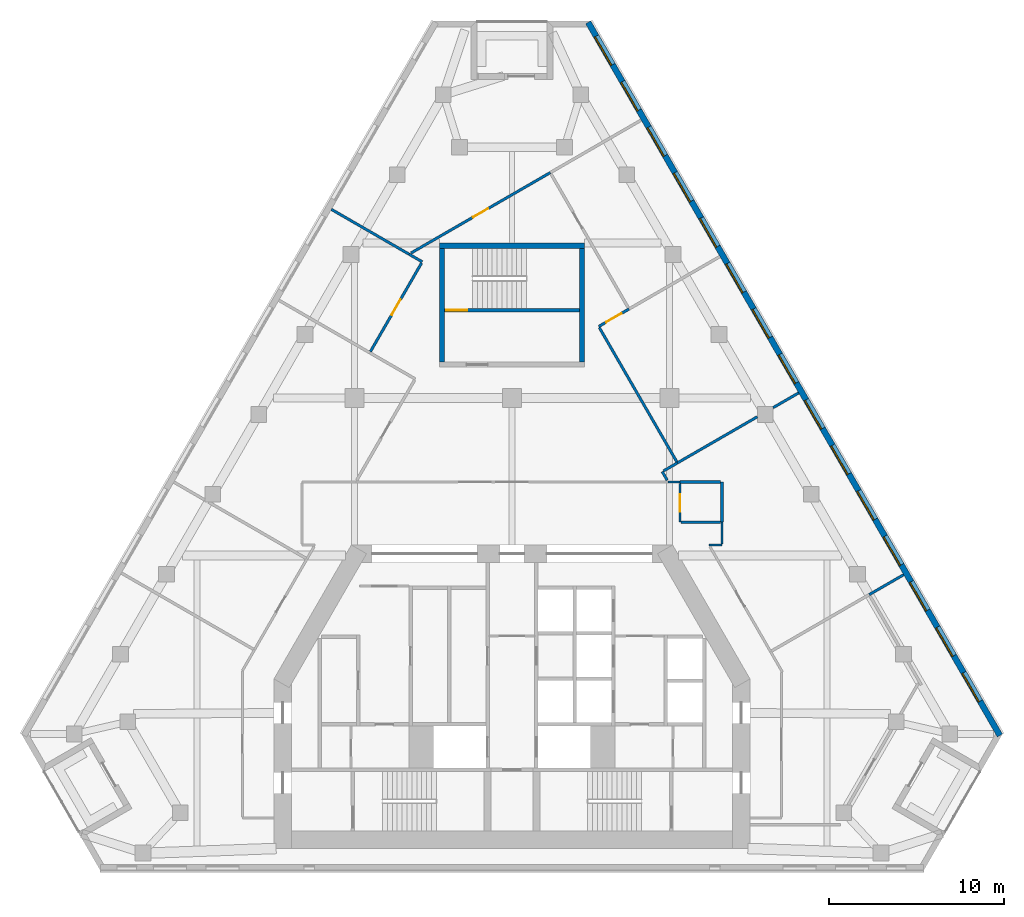
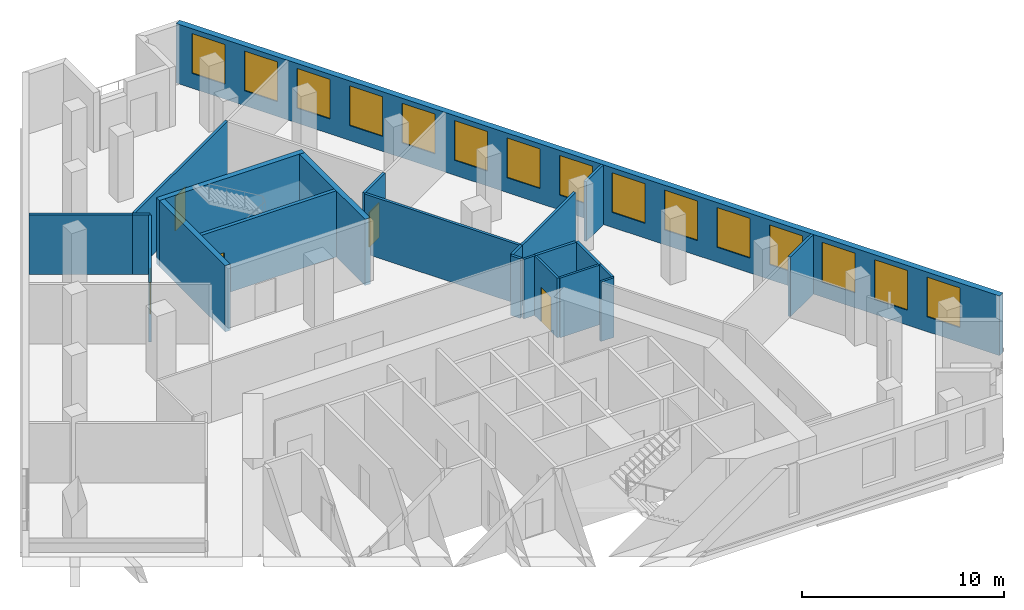
# One storey, part 7 of 9: 23 walls, 15 windows, 5 doors, 20 openings.
"""IFC4 building model written with IfcOpenShell, lengths in metres."""

from ifc_helpers import new_model, si_unit, direction, frame, frame_2d, origin, place, context, subcontext, project, spatial, rectangle, extrude, material, layer, layer_set, type_object, element, fill, save


model = new_model("IFC4")

# Units and contexts
model_context = context("Model", 3, precision=1e-05, world=origin(), true_north=direction((0.0, 1.0)))
body_context = subcontext(model_context, "Body", "Model", "MODEL_VIEW")
ifc_project = project(units=[si_unit("LENGTHUNIT", "METRE"), si_unit("AREAUNIT", "SQUARE_METRE"), si_unit("VOLUMEUNIT", "CUBIC_METRE"), si_unit("PLANEANGLEUNIT", "RADIAN"), si_unit("MASSUNIT", "GRAM", prefix="KILO")], contexts=[model_context])

# Site, building, storey
site_placement = place(None, origin())
site = spatial("IfcSite", under=ifc_project, at=site_placement, CompositionType="ELEMENT")
building_placement = place(site_placement, origin())
building = spatial("IfcBuilding", under=site, at=building_placement, Name="Fogline Exchange Tower", CompositionType="ELEMENT")
storey_placement = place(building_placement, frame((0.0, 0.0, 182.10009765625)))
storey = spatial("IfcBuildingStorey", under=building, at=storey_placement, Name="L40", CompositionType="ELEMENT", Elevation=182.10009765625)

# Wall, opening, door
ifc_material_1 = material(Name="Concrete C40", Category="concrete")
ifc_layer_1 = layer(ifc_material_1, 0.199951171875)
ifc_layer_set_1 = layer_set([ifc_layer_1], Name="CW20R")
wall_type_1 = type_object("IfcWallType", Name="CW20R", PredefinedType="SOLIDWALL", material=ifc_layer_set_1)
wall_1_placement = place(storey_placement, frame((-3.85009765625, 32.007080078125, -0.400146484375), z_axis=(0.0, 0.0, 1.0), x_axis=(1.0, 0.0, 0.0)))
wall_1 = element("IfcWall", 1, at=wall_1_placement, inside=storey, type_object=wall_type_1, Name="Stair enclosure wall ST3", PredefinedType="SOLIDWALL", context=body_context, shape_type="SweptSolid", body=[
    extrude(rectangle(XDim=7.7001953125, YDim=0.199951171875, at=frame_2d((3.85009765625, 0.0))), origin(), (0.0, 0.0, 1.0), 4.0),
])
opening_1_placement = place(wall_1_placement, frame((0.10009765625, 0.0, 0.39990234375)))
opening_1 = element("IfcOpeningElement", 2, at=opening_1_placement, cuts=wall_1, Name="Opening T13-C023", PredefinedType="OPENING", context=body_context, shape_type="SweptSolid", body=[
    extrude(rectangle(XDim=1.199951171875, YDim=2.10009765625, at=frame_2d((0.60009765625, 1.050048828125))), frame((0.0, 0.10986328125, 0.0), z_axis=(0.0, -1.0, 0.0), x_axis=(1.0, 0.0, 0.0)), (0.0, 0.0, 1.0), 0.219970703125),
])
ifc_material_2 = material(Name="Steel and timber fire door", Category="steel")
door_type_1 = type_object("IfcDoorType", Name="D-ST1", OperationType="SINGLE_SWING_LEFT", PredefinedType="DOOR", material=ifc_material_2)
door_1_placement = place(opening_1_placement, origin())
door_1 = element("IfcDoor", 3, at=door_1_placement, inside=storey, type_object=door_type_1, Name="Stair door ST3", OperationType="SINGLE_SWING_LEFT", OverallHeight=2.10009765625, OverallWidth=1.199951171875, PredefinedType="DOOR", context=body_context, shape_type="SweptSolid", body=[
    extrude(rectangle(XDim=1.199951171875, YDim=2.10009765625, at=frame_2d((0.60009765625, 1.050048828125))), frame((0.0, 0.02490234375, 0.0), z_axis=(0.0, -1.0, 0.0), x_axis=(1.0, 0.0, 0.0)), (0.0, 0.0, 1.0), 0.050048828125),
])
fill(opening_1, door_1)

# Walls
ifc_layer_2 = layer(ifc_material_1, 0.300048828125)
ifc_layer_set_2 = layer_set([ifc_layer_2], Name="CW30")
wall_type_2 = type_object("IfcWallType", Name="CW30", PredefinedType="SOLIDWALL", material=ifc_layer_set_2)
wall_2_placement = place(storey_placement, frame((-4.14990234375, 35.70703125, -0.400146484375), z_axis=(0.0, 0.0, 1.0), x_axis=(1.0, 0.0, 0.0)))
element("IfcWall", 4, at=wall_2_placement, inside=storey, type_object=wall_type_2, Name="Stair enclosure wall ST3", PredefinedType="SOLIDWALL", context=body_context, shape_type="SweptSolid", body=[
    extrude(rectangle(XDim=8.2998046875, YDim=0.300048828125, at=frame_2d((4.14990234375, 0.0))), origin(), (0.0, 0.0, 1.0), 4.0),
])
for number, where, z_axis, x_axis, name in (
    (5, (-4.0, 29.056884765625, -0.400146484375), (0.0, 0.0, 1.0), (0.0, 1.0, 0.0), "Stair enclosure wall ST3"),
    (6, (4.0, 29.056884765625, -0.400146484375), (0.0, 0.0, 1.0), (0.0, 1.0, 0.0), "Stair enclosure wall ST3"),
):
    element("IfcWall", number, at=place(storey_placement, frame(where, z_axis=z_axis, x_axis=x_axis)), inside=storey, type_object=wall_type_2, Name=name, PredefinedType="SOLIDWALL", context=body_context, shape_type="SweptSolid", body=[
        extrude(rectangle(XDim=6.5, YDim=0.300048828125, at=frame_2d((3.25, 0.0))), origin(), (0.0, 0.0, 1.0), 4.0),
    ])

# Wall, openings, windows
ifc_material_3 = material(Name="Brick masonry", Category="masonry")
ifc_layer_3 = layer(ifc_material_3, 0.340087890625)
ifc_layer_set_3 = layer_set([ifc_layer_3], Name="FW1")
wall_type_3 = type_object("IfcWallType", Name="FW1", PredefinedType="SOLIDWALL", material=ifc_layer_set_3)
wall_3_placement = place(storey_placement, frame((27.884033203125, 7.709228515625, 0.0), z_axis=(0.0, 0.0, 1.0), x_axis=(-0.499999966388, 0.86602542319, 0.0)))
wall_3 = element("IfcWall", 7, at=wall_3_placement, inside=storey, type_object=wall_type_3, Name="Brick wall L40 E", PredefinedType="SOLIDWALL", context=body_context, shape_type="SweptSolid", body=[
    extrude(rectangle(XDim=47.0625, YDim=0.340087890625, at=frame_2d((23.53125, 0.0))), origin(), (0.0, 0.0, 1.0), 3.599853515625),
])
opening_2_placement = place(wall_3_placement, frame((2.265625, 0.0, 0.89990234375)))
opening_2 = element("IfcOpeningElement", 8, at=opening_2_placement, cuts=wall_3, Name="Opening W1", PredefinedType="OPENING", context=body_context, shape_type="SweptSolid", body=[
    extrude(rectangle(XDim=1.885009765625, YDim=2.39990234375, at=frame_2d((0.9423828125, 1.199951171875))), frame((0.0, 0.18017578125, 0.0), z_axis=(0.0, -1.0, 0.0), x_axis=(1.0, 0.0, 0.0)), (0.0, 0.0, 1.0), 0.360107421875),
])
opening_3_placement = place(wall_3_placement, frame((5.265625, 0.0, 0.89990234375)))
opening_3 = element("IfcOpeningElement", 9, at=opening_3_placement, cuts=wall_3, Name="Opening W1", PredefinedType="OPENING", context=body_context, shape_type="SweptSolid", body=[
    extrude(rectangle(XDim=1.885009765625, YDim=2.39990234375, at=frame_2d((0.9423828125, 1.199951171875))), frame((0.0, 0.18017578125, 0.0), z_axis=(0.0, -1.0, 0.0), x_axis=(1.0, 0.0, 0.0)), (0.0, 0.0, 1.0), 0.360107421875),
])
opening_4_placement = place(wall_3_placement, frame((8.265625, 0.0, 0.89990234375)))
opening_4 = element("IfcOpeningElement", 10, at=opening_4_placement, cuts=wall_3, Name="Opening W1", PredefinedType="OPENING", context=body_context, shape_type="SweptSolid", body=[
    extrude(rectangle(XDim=1.885009765625, YDim=2.39990234375, at=frame_2d((0.9423828125, 1.199951171875))), frame((0.0, 0.18017578125, 0.0), z_axis=(0.0, -1.0, 0.0), x_axis=(1.0, 0.0, 0.0)), (0.0, 0.0, 1.0), 0.360107421875),
])
opening_5_placement = place(wall_3_placement, frame((11.265625, 0.0, 0.89990234375)))
opening_5 = element("IfcOpeningElement", 11, at=opening_5_placement, cuts=wall_3, Name="Opening W1", PredefinedType="OPENING", context=body_context, shape_type="SweptSolid", body=[
    extrude(rectangle(XDim=1.885009765625, YDim=2.39990234375, at=frame_2d((0.9423828125, 1.199951171875))), frame((0.0, 0.18017578125, 0.0), z_axis=(0.0, -1.0, 0.0), x_axis=(1.0, 0.0, 0.0)), (0.0, 0.0, 1.0), 0.360107421875),
])
opening_6_placement = place(wall_3_placement, frame((14.265625, 0.0, 0.89990234375)))
opening_6 = element("IfcOpeningElement", 12, at=opening_6_placement, cuts=wall_3, Name="Opening W1", PredefinedType="OPENING", context=body_context, shape_type="SweptSolid", body=[
    extrude(rectangle(XDim=1.885009765625, YDim=2.39990234375, at=frame_2d((0.9423828125, 1.199951171875))), frame((0.0, 0.18017578125, 0.0), z_axis=(0.0, -1.0, 0.0), x_axis=(1.0, 0.0, 0.0)), (0.0, 0.0, 1.0), 0.360107421875),
])
opening_7_placement = place(wall_3_placement, frame((17.265625, 0.0, 0.89990234375)))
opening_7 = element("IfcOpeningElement", 13, at=opening_7_placement, cuts=wall_3, Name="Opening W1", PredefinedType="OPENING", context=body_context, shape_type="SweptSolid", body=[
    extrude(rectangle(XDim=1.885009765625, YDim=2.39990234375, at=frame_2d((0.9423828125, 1.199951171875))), frame((0.0, 0.18017578125, 0.0), z_axis=(0.0, -1.0, 0.0), x_axis=(1.0, 0.0, 0.0)), (0.0, 0.0, 1.0), 0.360107421875),
])
opening_8_placement = place(wall_3_placement, frame((20.265625, 0.0, 0.89990234375)))
opening_8 = element("IfcOpeningElement", 14, at=opening_8_placement, cuts=wall_3, Name="Opening W1", PredefinedType="OPENING", context=body_context, shape_type="SweptSolid", body=[
    extrude(rectangle(XDim=1.885009765625, YDim=2.39990234375, at=frame_2d((0.9423828125, 1.199951171875))), frame((0.0, 0.18017578125, 0.0), z_axis=(0.0, -1.0, 0.0), x_axis=(1.0, 0.0, 0.0)), (0.0, 0.0, 1.0), 0.360107421875),
])
opening_9_placement = place(wall_3_placement, frame((23.265625, 0.0, 0.89990234375)))
opening_9 = element("IfcOpeningElement", 15, at=opening_9_placement, cuts=wall_3, Name="Opening W1", PredefinedType="OPENING", context=body_context, shape_type="SweptSolid", body=[
    extrude(rectangle(XDim=1.885009765625, YDim=2.39990234375, at=frame_2d((0.9423828125, 1.199951171875))), frame((0.0, 0.18017578125, 0.0), z_axis=(0.0, -1.0, 0.0), x_axis=(1.0, 0.0, 0.0)), (0.0, 0.0, 1.0), 0.360107421875),
])
opening_10_placement = place(wall_3_placement, frame((26.265625, 0.0, 0.89990234375)))
opening_10 = element("IfcOpeningElement", 16, at=opening_10_placement, cuts=wall_3, Name="Opening W1", PredefinedType="OPENING", context=body_context, shape_type="SweptSolid", body=[
    extrude(rectangle(XDim=1.885009765625, YDim=2.39990234375, at=frame_2d((0.9423828125, 1.199951171875))), frame((0.0, 0.18017578125, 0.0), z_axis=(0.0, -1.0, 0.0), x_axis=(1.0, 0.0, 0.0)), (0.0, 0.0, 1.0), 0.360107421875),
])
opening_11_placement = place(wall_3_placement, frame((29.265625, 0.0, 0.89990234375)))
opening_11 = element("IfcOpeningElement", 17, at=opening_11_placement, cuts=wall_3, Name="Opening W1", PredefinedType="OPENING", context=body_context, shape_type="SweptSolid", body=[
    extrude(rectangle(XDim=1.885009765625, YDim=2.39990234375, at=frame_2d((0.9423828125, 1.199951171875))), frame((0.0, 0.18017578125, 0.0), z_axis=(0.0, -1.0, 0.0), x_axis=(1.0, 0.0, 0.0)), (0.0, 0.0, 1.0), 0.360107421875),
])
opening_12_placement = place(wall_3_placement, frame((32.265625, 0.0, 0.89990234375)))
opening_12 = element("IfcOpeningElement", 18, at=opening_12_placement, cuts=wall_3, Name="Opening W1", PredefinedType="OPENING", context=body_context, shape_type="SweptSolid", body=[
    extrude(rectangle(XDim=1.885009765625, YDim=2.39990234375, at=frame_2d((0.9423828125, 1.199951171875))), frame((0.0, 0.18017578125, 0.0), z_axis=(0.0, -1.0, 0.0), x_axis=(1.0, 0.0, 0.0)), (0.0, 0.0, 1.0), 0.360107421875),
])
opening_13_placement = place(wall_3_placement, frame((35.265625, 0.0, 0.89990234375)))
opening_13 = element("IfcOpeningElement", 19, at=opening_13_placement, cuts=wall_3, Name="Opening W1", PredefinedType="OPENING", context=body_context, shape_type="SweptSolid", body=[
    extrude(rectangle(XDim=1.885009765625, YDim=2.39990234375, at=frame_2d((0.9423828125, 1.199951171875))), frame((0.0, 0.18017578125, 0.0), z_axis=(0.0, -1.0, 0.0), x_axis=(1.0, 0.0, 0.0)), (0.0, 0.0, 1.0), 0.360107421875),
])
opening_14_placement = place(wall_3_placement, frame((38.265625, 0.0, 0.89990234375)))
opening_14 = element("IfcOpeningElement", 20, at=opening_14_placement, cuts=wall_3, Name="Opening W1", PredefinedType="OPENING", context=body_context, shape_type="SweptSolid", body=[
    extrude(rectangle(XDim=1.885009765625, YDim=2.39990234375, at=frame_2d((0.9423828125, 1.199951171875))), frame((0.0, 0.18017578125, 0.0), z_axis=(0.0, -1.0, 0.0), x_axis=(1.0, 0.0, 0.0)), (0.0, 0.0, 1.0), 0.360107421875),
])
opening_15_placement = place(wall_3_placement, frame((41.265625, 0.0, 0.89990234375)))
opening_15 = element("IfcOpeningElement", 21, at=opening_15_placement, cuts=wall_3, Name="Opening W1", PredefinedType="OPENING", context=body_context, shape_type="SweptSolid", body=[
    extrude(rectangle(XDim=1.885009765625, YDim=2.39990234375, at=frame_2d((0.9423828125, 1.199951171875))), frame((0.0, 0.18017578125, 0.0), z_axis=(0.0, -1.0, 0.0), x_axis=(1.0, 0.0, 0.0)), (0.0, 0.0, 1.0), 0.360107421875),
])
opening_16_placement = place(wall_3_placement, frame((44.265625, 0.0, 0.89990234375)))
opening_16 = element("IfcOpeningElement", 22, at=opening_16_placement, cuts=wall_3, Name="Opening W1", PredefinedType="OPENING", context=body_context, shape_type="SweptSolid", body=[
    extrude(rectangle(XDim=1.885009765625, YDim=2.39990234375, at=frame_2d((0.9423828125, 1.199951171875))), frame((0.0, 0.18017578125, 0.0), z_axis=(0.0, -1.0, 0.0), x_axis=(1.0, 0.0, 0.0)), (0.0, 0.0, 1.0), 0.360107421875),
])
ifc_material_4 = material(Name="Aluminium and glass", Category="aluminium")
window_type = type_object("IfcWindowType", Name="W1", PartitioningType="SINGLE_PANEL", PredefinedType="WINDOW", material=ifc_material_4)
window_1_placement = place(opening_2_placement, origin())
window_1 = element("IfcWindow", 23, at=window_1_placement, inside=storey, type_object=window_type, Name="W1 W1", OverallHeight=2.39990234375, OverallWidth=1.885009765625, PartitioningType="SINGLE_PANEL", PredefinedType="WINDOW", context=body_context, shape_type="SweptSolid", body=[
    extrude(rectangle(XDim=1.885009765625, YDim=2.39990234375, at=frame_2d((0.9423828125, 1.199951171875))), frame((0.0, 0.110107421875, 0.0), z_axis=(0.0, -1.0, 0.0), x_axis=(1.0, 0.0, 0.0)), (0.0, 0.0, 1.0), 0.06005859375),
])
fill(opening_2, window_1)
window_2_placement = place(opening_3_placement, origin())
window_2 = element("IfcWindow", 24, at=window_2_placement, inside=storey, type_object=window_type, Name="W1 W1", OverallHeight=2.39990234375, OverallWidth=1.885009765625, PartitioningType="SINGLE_PANEL", PredefinedType="WINDOW", context=body_context, shape_type="SweptSolid", body=[
    extrude(rectangle(XDim=1.885009765625, YDim=2.39990234375, at=frame_2d((0.9423828125, 1.199951171875))), frame((0.0, 0.110107421875, 0.0), z_axis=(0.0, -1.0, 0.0), x_axis=(1.0, 0.0, 0.0)), (0.0, 0.0, 1.0), 0.06005859375),
])
fill(opening_3, window_2)
window_3_placement = place(opening_4_placement, origin())
window_3 = element("IfcWindow", 25, at=window_3_placement, inside=storey, type_object=window_type, Name="W1 W1", OverallHeight=2.39990234375, OverallWidth=1.885009765625, PartitioningType="SINGLE_PANEL", PredefinedType="WINDOW", context=body_context, shape_type="SweptSolid", body=[
    extrude(rectangle(XDim=1.885009765625, YDim=2.39990234375, at=frame_2d((0.9423828125, 1.199951171875))), frame((0.0, 0.110107421875, 0.0), z_axis=(0.0, -1.0, 0.0), x_axis=(1.0, 0.0, 0.0)), (0.0, 0.0, 1.0), 0.06005859375),
])
fill(opening_4, window_3)
window_4_placement = place(opening_5_placement, origin())
window_4 = element("IfcWindow", 26, at=window_4_placement, inside=storey, type_object=window_type, Name="W1 W1", OverallHeight=2.39990234375, OverallWidth=1.885009765625, PartitioningType="SINGLE_PANEL", PredefinedType="WINDOW", context=body_context, shape_type="SweptSolid", body=[
    extrude(rectangle(XDim=1.885009765625, YDim=2.39990234375, at=frame_2d((0.9423828125, 1.199951171875))), frame((0.0, 0.110107421875, 0.0), z_axis=(0.0, -1.0, 0.0), x_axis=(1.0, 0.0, 0.0)), (0.0, 0.0, 1.0), 0.06005859375),
])
fill(opening_5, window_4)
window_5_placement = place(opening_6_placement, origin())
window_5 = element("IfcWindow", 27, at=window_5_placement, inside=storey, type_object=window_type, Name="W1 W1", OverallHeight=2.39990234375, OverallWidth=1.885009765625, PartitioningType="SINGLE_PANEL", PredefinedType="WINDOW", context=body_context, shape_type="SweptSolid", body=[
    extrude(rectangle(XDim=1.885009765625, YDim=2.39990234375, at=frame_2d((0.9423828125, 1.199951171875))), frame((0.0, 0.110107421875, 0.0), z_axis=(0.0, -1.0, 0.0), x_axis=(1.0, 0.0, 0.0)), (0.0, 0.0, 1.0), 0.06005859375),
])
fill(opening_6, window_5)
window_6_placement = place(opening_7_placement, origin())
window_6 = element("IfcWindow", 28, at=window_6_placement, inside=storey, type_object=window_type, Name="W1 W1", OverallHeight=2.39990234375, OverallWidth=1.885009765625, PartitioningType="SINGLE_PANEL", PredefinedType="WINDOW", context=body_context, shape_type="SweptSolid", body=[
    extrude(rectangle(XDim=1.885009765625, YDim=2.39990234375, at=frame_2d((0.9423828125, 1.199951171875))), frame((0.0, 0.110107421875, 0.0), z_axis=(0.0, -1.0, 0.0), x_axis=(1.0, 0.0, 0.0)), (0.0, 0.0, 1.0), 0.06005859375),
])
fill(opening_7, window_6)
window_7_placement = place(opening_8_placement, origin())
window_7 = element("IfcWindow", 29, at=window_7_placement, inside=storey, type_object=window_type, Name="W1 W1", OverallHeight=2.39990234375, OverallWidth=1.885009765625, PartitioningType="SINGLE_PANEL", PredefinedType="WINDOW", context=body_context, shape_type="SweptSolid", body=[
    extrude(rectangle(XDim=1.885009765625, YDim=2.39990234375, at=frame_2d((0.9423828125, 1.199951171875))), frame((0.0, 0.110107421875, 0.0), z_axis=(0.0, -1.0, 0.0), x_axis=(1.0, 0.0, 0.0)), (0.0, 0.0, 1.0), 0.06005859375),
])
fill(opening_8, window_7)
window_8_placement = place(opening_9_placement, origin())
window_8 = element("IfcWindow", 30, at=window_8_placement, inside=storey, type_object=window_type, Name="W1 W1", OverallHeight=2.39990234375, OverallWidth=1.885009765625, PartitioningType="SINGLE_PANEL", PredefinedType="WINDOW", context=body_context, shape_type="SweptSolid", body=[
    extrude(rectangle(XDim=1.885009765625, YDim=2.39990234375, at=frame_2d((0.9423828125, 1.199951171875))), frame((0.0, 0.110107421875, 0.0), z_axis=(0.0, -1.0, 0.0), x_axis=(1.0, 0.0, 0.0)), (0.0, 0.0, 1.0), 0.06005859375),
])
fill(opening_9, window_8)
window_9_placement = place(opening_10_placement, origin())
window_9 = element("IfcWindow", 31, at=window_9_placement, inside=storey, type_object=window_type, Name="W1 W1", OverallHeight=2.39990234375, OverallWidth=1.885009765625, PartitioningType="SINGLE_PANEL", PredefinedType="WINDOW", context=body_context, shape_type="SweptSolid", body=[
    extrude(rectangle(XDim=1.885009765625, YDim=2.39990234375, at=frame_2d((0.9423828125, 1.199951171875))), frame((0.0, 0.110107421875, 0.0), z_axis=(0.0, -1.0, 0.0), x_axis=(1.0, 0.0, 0.0)), (0.0, 0.0, 1.0), 0.06005859375),
])
fill(opening_10, window_9)
window_10_placement = place(opening_11_placement, origin())
window_10 = element("IfcWindow", 32, at=window_10_placement, inside=storey, type_object=window_type, Name="W1 W1", OverallHeight=2.39990234375, OverallWidth=1.885009765625, PartitioningType="SINGLE_PANEL", PredefinedType="WINDOW", context=body_context, shape_type="SweptSolid", body=[
    extrude(rectangle(XDim=1.885009765625, YDim=2.39990234375, at=frame_2d((0.9423828125, 1.199951171875))), frame((0.0, 0.110107421875, 0.0), z_axis=(0.0, -1.0, 0.0), x_axis=(1.0, 0.0, 0.0)), (0.0, 0.0, 1.0), 0.06005859375),
])
fill(opening_11, window_10)
window_11_placement = place(opening_12_placement, origin())
window_11 = element("IfcWindow", 33, at=window_11_placement, inside=storey, type_object=window_type, Name="W1 W1", OverallHeight=2.39990234375, OverallWidth=1.885009765625, PartitioningType="SINGLE_PANEL", PredefinedType="WINDOW", context=body_context, shape_type="SweptSolid", body=[
    extrude(rectangle(XDim=1.885009765625, YDim=2.39990234375, at=frame_2d((0.9423828125, 1.199951171875))), frame((0.0, 0.110107421875, 0.0), z_axis=(0.0, -1.0, 0.0), x_axis=(1.0, 0.0, 0.0)), (0.0, 0.0, 1.0), 0.06005859375),
])
fill(opening_12, window_11)
window_12_placement = place(opening_13_placement, origin())
window_12 = element("IfcWindow", 34, at=window_12_placement, inside=storey, type_object=window_type, Name="W1 W1", OverallHeight=2.39990234375, OverallWidth=1.885009765625, PartitioningType="SINGLE_PANEL", PredefinedType="WINDOW", context=body_context, shape_type="SweptSolid", body=[
    extrude(rectangle(XDim=1.885009765625, YDim=2.39990234375, at=frame_2d((0.9423828125, 1.199951171875))), frame((0.0, 0.110107421875, 0.0), z_axis=(0.0, -1.0, 0.0), x_axis=(1.0, 0.0, 0.0)), (0.0, 0.0, 1.0), 0.06005859375),
])
fill(opening_13, window_12)
window_13_placement = place(opening_14_placement, origin())
window_13 = element("IfcWindow", 35, at=window_13_placement, inside=storey, type_object=window_type, Name="W1 W1", OverallHeight=2.39990234375, OverallWidth=1.885009765625, PartitioningType="SINGLE_PANEL", PredefinedType="WINDOW", context=body_context, shape_type="SweptSolid", body=[
    extrude(rectangle(XDim=1.885009765625, YDim=2.39990234375, at=frame_2d((0.9423828125, 1.199951171875))), frame((0.0, 0.110107421875, 0.0), z_axis=(0.0, -1.0, 0.0), x_axis=(1.0, 0.0, 0.0)), (0.0, 0.0, 1.0), 0.06005859375),
])
fill(opening_14, window_13)
window_14_placement = place(opening_15_placement, origin())
window_14 = element("IfcWindow", 36, at=window_14_placement, inside=storey, type_object=window_type, Name="W1 W1", OverallHeight=2.39990234375, OverallWidth=1.885009765625, PartitioningType="SINGLE_PANEL", PredefinedType="WINDOW", context=body_context, shape_type="SweptSolid", body=[
    extrude(rectangle(XDim=1.885009765625, YDim=2.39990234375, at=frame_2d((0.9423828125, 1.199951171875))), frame((0.0, 0.110107421875, 0.0), z_axis=(0.0, -1.0, 0.0), x_axis=(1.0, 0.0, 0.0)), (0.0, 0.0, 1.0), 0.06005859375),
])
fill(opening_15, window_14)
window_15_placement = place(opening_16_placement, origin())
window_15 = element("IfcWindow", 37, at=window_15_placement, inside=storey, type_object=window_type, Name="W1 W1", OverallHeight=2.39990234375, OverallWidth=1.885009765625, PartitioningType="SINGLE_PANEL", PredefinedType="WINDOW", context=body_context, shape_type="SweptSolid", body=[
    extrude(rectangle(XDim=1.885009765625, YDim=2.39990234375, at=frame_2d((0.9423828125, 1.199951171875))), frame((0.0, 0.110107421875, 0.0), z_axis=(0.0, -1.0, 0.0), x_axis=(1.0, 0.0, 0.0)), (0.0, 0.0, 1.0), 0.06005859375),
])
fill(opening_16, window_15)

# Walls
ifc_material_5 = material(Name="Plasterboard corridor partition with mineral wool, 2 layers each side")
ifc_layer_4 = layer(ifc_material_5, 0.125)
ifc_layer_set_4 = layer_set([ifc_layer_4], Name="PW2")
wall_type_4 = type_object("IfcWallType", Name="PW2", PredefinedType="PARTITIONING", material=ifc_layer_set_4)
wall_4_placement = place(storey_placement, frame((8.92919921875, 22.199951171875, 0.0), z_axis=(0.0, 0.0, 1.0), x_axis=(1.0, 0.0, 0.0)))
element("IfcWall", 38, at=wall_4_placement, inside=storey, type_object=wall_type_4, Name="wall-L40-W005", PredefinedType="PARTITIONING", context=body_context, shape_type="SweptSolid", body=[
    extrude(rectangle(XDim=0.6708984375, YDim=0.125, at=frame_2d((0.33544921875, 0.0))), origin(), (0.0, 0.0, 1.0), 3.599853515625),
])
wall_5_placement = place(storey_placement, frame((12.0, 19.89990234375, 0.0), z_axis=(0.0, 0.0, 1.0), x_axis=(0.0, -1.0, 0.0)))
element("IfcWall", 39, at=wall_5_placement, inside=storey, type_object=wall_type_4, Name="wall-L40-W006", PredefinedType="PARTITIONING", context=body_context, shape_type="SweptSolid", body=[
    extrude(rectangle(XDim=1.2373046875, YDim=0.125, at=frame_2d((0.61865234375, 0.0))), origin(), (0.0, 0.0, 1.0), 3.599853515625),
])
wall_6_placement = place(storey_placement, frame((12.0, 18.60009765625, 0.0), z_axis=(0.0, 0.0, 1.0), x_axis=(-1.0, 0.0, 0.0)))
element("IfcWall", 40, at=wall_6_placement, inside=storey, type_object=wall_type_4, Name="wall-L40-W007", PredefinedType="PARTITIONING", context=body_context, shape_type="SweptSolid", body=[
    extrude(rectangle(XDim=0.740966796875, YDim=0.125, at=frame_2d((0.37060546875, 0.0))), origin(), (0.0, 0.0, 1.0), 3.599853515625),
])

# Wall, opening, door
wall_7_placement = place(storey_placement, frame((9.60009765625, 22.125, 0.0), z_axis=(0.0, 0.0, 1.0), x_axis=(0.0, -1.0, 0.0)))
wall_7 = element("IfcWall", 41, at=wall_7_placement, inside=storey, type_object=wall_type_4, Name="wall-L40-W008", PredefinedType="PARTITIONING", context=body_context, shape_type="SweptSolid", body=[
    extrude(rectangle(XDim=2.22509765625, YDim=0.125, at=frame_2d((1.112548828125, 0.0))), origin(), (0.0, 0.0, 1.0), 3.599853515625),
])
opening_17_placement = place(wall_7_placement, frame((0.612548828125, 0.0, 0.0)))
opening_17 = element("IfcOpeningElement", 42, at=opening_17_placement, cuts=wall_7, Name="Opening T13-D003", PredefinedType="OPENING", context=body_context, shape_type="SweptSolid", body=[
    extrude(rectangle(XDim=1.0, YDim=2.10009765625, at=frame_2d((0.5, 1.050048828125))), frame((0.0, 0.072509765625, 0.0), z_axis=(0.0, -1.0, 0.0), x_axis=(1.0, 0.0, 0.0)), (0.0, 0.0, 1.0), 0.14501953125),
])
ifc_material_6 = material(Name="Fire-rated timber door leaf with steel frame", Category="steel")
door_type_2 = type_object("IfcDoorType", Name="D3", OperationType="SINGLE_SWING_LEFT", PredefinedType="DOOR", material=ifc_material_6)
door_2_placement = place(opening_17_placement, origin())
door_2 = element("IfcDoor", 43, at=door_2_placement, inside=storey, type_object=door_type_2, Name="door-L40-D003", OperationType="SINGLE_SWING_LEFT", OverallHeight=2.10009765625, OverallWidth=1.0, PredefinedType="DOOR", context=body_context, shape_type="SweptSolid", body=[
    extrude(rectangle(XDim=1.0, YDim=2.10009765625, at=frame_2d((0.5, 1.050048828125))), frame((0.0, 0.02490234375, 0.0), z_axis=(0.0, -1.0, 0.0), x_axis=(1.0, 0.0, 0.0)), (0.0, 0.0, 1.0), 0.050048828125),
])
fill(opening_17, door_2)

# Walls
wall_8_placement = place(storey_placement, frame((9.66259765625, 19.89990234375, 0.0), z_axis=(0.0, 0.0, 1.0), x_axis=(1.0, 0.0, 0.0)))
element("IfcWall", 44, at=wall_8_placement, inside=storey, type_object=wall_type_4, Name="wall-L40-W009", PredefinedType="PARTITIONING", context=body_context, shape_type="SweptSolid", body=[
    extrude(rectangle(XDim=2.262451171875, YDim=0.125, at=frame_2d((1.13134765625, 0.0))), origin(), (0.0, 0.0, 1.0), 3.599853515625),
])
ifc_material_7 = material(Name="Plasterboard demising partition with mineral wool and acoustic board")
ifc_layer_5 = layer(ifc_material_7, 0.14990234375)
ifc_layer_set_5 = layer_set([ifc_layer_5], Name="PW3")
wall_type_5 = type_object("IfcWallType", Name="PW3", PredefinedType="PARTITIONING", material=ifc_layer_set_5)
wall_9_placement = place(storey_placement, frame((12.0, 19.89990234375, 0.0), z_axis=(0.0, 0.0, 1.0), x_axis=(0.0, 1.0, 0.0)))
element("IfcWall", 45, at=wall_9_placement, inside=storey, type_object=wall_type_5, Name="wall-L40-W019", PredefinedType="PARTITIONING", context=body_context, shape_type="SweptSolid", body=[
    extrude(rectangle(XDim=2.300048828125, YDim=0.14990234375, at=frame_2d((1.14990234375, 0.0))), origin(), (0.0, 0.0, 1.0), 3.599853515625),
])
wall_10_placement = place(storey_placement, frame((11.925048828125, 22.199951171875, 0.0), z_axis=(0.0, 0.0, 1.0), x_axis=(-1.0, 0.0, 0.0)))
element("IfcWall", 46, at=wall_10_placement, inside=storey, type_object=wall_type_5, Name="wall-L40-W020", PredefinedType="PARTITIONING", context=body_context, shape_type="SweptSolid", body=[
    extrude(rectangle(XDim=2.324951171875, YDim=0.14990234375, at=frame_2d((1.16259765625, 0.0))), origin(), (0.0, 0.0, 1.0), 3.599853515625),
])
wall_11_placement = place(storey_placement, frame((9.45458984375, 23.2900390625, 0.0), z_axis=(0.0, 0.0, 1.0), x_axis=(0.866016643694, 0.500015172615, 0.0)))
element("IfcWall", 47, at=wall_11_placement, inside=storey, type_object=wall_type_5, Name="wall-L40-W021", PredefinedType="PARTITIONING", context=body_context, shape_type="SweptSolid", body=[
    extrude(rectangle(XDim=5.270263671875, YDim=0.14990234375, at=frame_2d((2.63525390625, 0.0))), origin(), (0.0, 0.0, 1.0), 3.599853515625),
])
wall_12_placement = place(storey_placement, frame((14.918701171875, 26.44482421875, 0.0), z_axis=(0.0, 0.0, 1.0), x_axis=(0.866048512801, 0.499959971872, 0.0)))
element("IfcWall", 48, at=wall_12_placement, inside=storey, type_object=wall_type_5, Name="wall-L40-W022", PredefinedType="PARTITIONING", context=body_context, shape_type="SweptSolid", body=[
    extrude(rectangle(XDim=1.690673828125, YDim=0.14990234375, at=frame_2d((0.84521484375, 0.0))), origin(), (0.0, 0.0, 1.0), 3.599853515625),
])
wall_13_placement = place(storey_placement, frame((8.871337890625, 22.30029296875, 0.0), z_axis=(0.0, 0.0, 1.0), x_axis=(-0.499946688677, 0.866056180903, 0.0)))
element("IfcWall", 49, at=wall_13_placement, inside=storey, type_object=wall_type_5, Name="wall-L40-W023", PredefinedType="PARTITIONING", context=body_context, shape_type="SweptSolid", body=[
    extrude(rectangle(XDim=0.5654296875, YDim=0.14990234375, at=frame_2d((0.28271484375, 0.0))), origin(), (0.0, 0.0, 1.0), 3.599853515625),
])
wall_14_placement = place(storey_placement, frame((8.653564453125, 22.82763671875, 0.0), z_axis=(0.0, 0.0, 1.0), x_axis=(0.866058118026, 0.49994333299, 0.0)))
element("IfcWall", 50, at=wall_14_placement, inside=storey, type_object=wall_type_5, Name="wall-L40-W024", PredefinedType="PARTITIONING", context=body_context, shape_type="SweptSolid", body=[
    extrude(rectangle(XDim=0.9248046875, YDim=0.14990234375, at=frame_2d((0.46240234375, 0.0))), origin(), (0.0, 0.0, 1.0), 3.599853515625),
])
wall_15_placement = place(storey_placement, frame((22.3828125, 16.897705078125, 0.0), z_axis=(0.0, 0.0, 1.0), x_axis=(-0.866026358377, -0.499998346593, 0.0)))
element("IfcWall", 51, at=wall_15_placement, inside=storey, type_object=wall_type_5, Name="wall-L40-W025", PredefinedType="PARTITIONING", context=body_context, shape_type="SweptSolid", body=[
    extrude(rectangle(XDim=2.2724609375, YDim=0.14990234375, at=frame_2d((1.13623046875, 0.0))), origin(), (0.0, 0.0, 1.0), 3.599853515625),
])

# Wall, opening, door
wall_16_placement = place(storey_placement, frame((4.95458984375, 31.084228515625, 0.0), z_axis=(0.0, 0.0, 1.0), x_axis=(0.866010750942, 0.50002537861, 0.0)))
wall_16 = element("IfcWall", 52, at=wall_16_placement, inside=storey, type_object=wall_type_5, Name="wall-L40-W028", PredefinedType="PARTITIONING", context=body_context, shape_type="SweptSolid", body=[
    extrude(rectangle(XDim=2.0, YDim=0.14990234375, at=frame_2d((1.0, 0.0))), origin(), (0.0, 0.0, 1.0), 3.599853515625),
])
opening_18_placement = place(wall_16_placement, frame((0.5, 0.0, 0.0)))
opening_18 = element("IfcOpeningElement", 53, at=opening_18_placement, cuts=wall_16, Name="Opening T13-D008", PredefinedType="OPENING", context=body_context, shape_type="SweptSolid", body=[
    extrude(rectangle(XDim=1.0, YDim=2.10009765625, at=frame_2d((0.5, 1.050048828125))), frame((0.0, 0.0849609375, 0.0), z_axis=(0.0, -1.0, 0.0), x_axis=(1.0, 0.0, 0.0)), (0.0, 0.0, 1.0), 0.169921875),
])
door_3_placement = place(opening_18_placement, frame((1.0, 0.0, 0.0), z_axis=(0.0, 0.0, 1.0), x_axis=(-1.0, 0.0, 0.0)))
door_3 = element("IfcDoor", 54, at=door_3_placement, inside=storey, type_object=door_type_2, Name="door-L40-D008", OperationType="SINGLE_SWING_RIGHT", OverallHeight=2.10009765625, OverallWidth=1.0, PredefinedType="DOOR", context=body_context, shape_type="SweptSolid", body=[
    extrude(rectangle(XDim=1.0, YDim=2.10009765625, at=frame_2d((0.5, 1.050048828125))), frame((0.0, 0.02490234375, 0.0), z_axis=(0.0, -1.0, 0.0), x_axis=(1.0, 0.0, 0.0)), (0.0, 0.0, 1.0), 0.050048828125),
])
fill(opening_18, door_3)

# Wall
wall_17_placement = place(storey_placement, frame((9.4169921875, 23.35498046875, 0.0), z_axis=(0.0, 0.0, 1.0), x_axis=(-0.499984337462, 0.866034446366, 0.0)))
element("IfcWall", 55, at=wall_17_placement, inside=storey, type_object=wall_type_5, Name="wall-L40-W029", PredefinedType="PARTITIONING", context=body_context, shape_type="SweptSolid", body=[
    extrude(rectangle(XDim=8.849853515625, YDim=0.14990234375, at=frame_2d((4.4248046875, 0.0))), origin(), (0.0, 0.0, 1.0), 3.599853515625),
])

# Wall, opening, door
wall_18_placement = place(storey_placement, frame((-5.772216796875, 35.28369140625, 0.0), z_axis=(0.0, 0.0, 1.0), x_axis=(0.866037383655, 0.499979249682, 0.0)))
wall_18 = element("IfcWall", 56, at=wall_18_placement, inside=storey, type_object=wall_type_5, Name="wall-L40-W032", PredefinedType="PARTITIONING", context=body_context, shape_type="SweptSolid", body=[
    extrude(rectangle(XDim=9.18994140625, YDim=0.14990234375, at=frame_2d((4.594970703125, 0.0))), origin(), (0.0, 0.0, 1.0), 3.599853515625),
])
opening_19_placement = place(wall_18_placement, frame((4.094970703125, 0.0, 0.0)))
opening_19 = element("IfcOpeningElement", 57, at=opening_19_placement, cuts=wall_18, Name="Opening T13-D010", PredefinedType="OPENING", context=body_context, shape_type="SweptSolid", body=[
    extrude(rectangle(XDim=1.0, YDim=2.10009765625, at=frame_2d((0.5, 1.050048828125))), frame((0.0, 0.0849609375, 0.0), z_axis=(0.0, -1.0, 0.0), x_axis=(1.0, 0.0, 0.0)), (0.0, 0.0, 1.0), 0.169921875),
])
door_4_placement = place(opening_19_placement, origin())
door_4 = element("IfcDoor", 58, at=door_4_placement, inside=storey, type_object=door_type_2, Name="door-L40-D010", OperationType="SINGLE_SWING_LEFT", OverallHeight=2.10009765625, OverallWidth=1.0, PredefinedType="DOOR", context=body_context, shape_type="SweptSolid", body=[
    extrude(rectangle(XDim=1.0, YDim=2.10009765625, at=frame_2d((0.5, 1.050048828125))), frame((0.0, 0.02490234375, 0.0), z_axis=(0.0, -1.0, 0.0), x_axis=(1.0, 0.0, 0.0)), (0.0, 0.0, 1.0), 0.050048828125),
])
fill(opening_19, door_4)

wall_19_placement = place(storey_placement, frame((-8.091552734375, 29.65087890625, 0.0), z_axis=(0.0, 0.0, 1.0), x_axis=(0.500012662943, 0.866018092707, 0.0)))
wall_19 = element("IfcWall", 59, at=wall_19_placement, inside=storey, type_object=wall_type_5, Name="wall-L40-W033", PredefinedType="PARTITIONING", context=body_context, shape_type="SweptSolid", body=[
    extrude(rectangle(XDim=5.849853515625, YDim=0.14990234375, at=frame_2d((2.9248046875, 0.0))), origin(), (0.0, 0.0, 1.0), 3.599853515625),
])
opening_20_placement = place(wall_19_placement, frame((2.425048828125, 0.0, 0.0)))
opening_20 = element("IfcOpeningElement", 60, at=opening_20_placement, cuts=wall_19, Name="Opening T13-D011", PredefinedType="OPENING", context=body_context, shape_type="SweptSolid", body=[
    extrude(rectangle(XDim=1.0, YDim=2.10009765625, at=frame_2d((0.5, 1.050048828125))), frame((0.0, 0.0849609375, 0.0), z_axis=(0.0, -1.0, 0.0), x_axis=(1.0, 0.0, 0.0)), (0.0, 0.0, 1.0), 0.169921875),
])
door_5_placement = place(opening_20_placement, origin())
door_5 = element("IfcDoor", 61, at=door_5_placement, inside=storey, type_object=door_type_2, Name="door-L40-D011", OperationType="SINGLE_SWING_LEFT", OverallHeight=2.10009765625, OverallWidth=1.0, PredefinedType="DOOR", context=body_context, shape_type="SweptSolid", body=[
    extrude(rectangle(XDim=1.0, YDim=2.10009765625, at=frame_2d((0.5, 1.050048828125))), frame((0.0, 0.02490234375, 0.0), z_axis=(0.0, -1.0, 0.0), x_axis=(1.0, 0.0, 0.0)), (0.0, 0.0, 1.0), 0.050048828125),
])
fill(opening_20, door_5)

# Walls
wall_20_placement = place(storey_placement, frame((-5.129150390625, 34.781982421875, 0.0), z_axis=(0.0, 0.0, 1.0), x_axis=(-0.865961984968, 0.500109828528, 0.0)))
element("IfcWall", 62, at=wall_20_placement, inside=storey, type_object=wall_type_5, Name="wall-L40-W034", PredefinedType="PARTITIONING", context=body_context, shape_type="SweptSolid", body=[
    extrude(rectangle(XDim=0.872802734375, YDim=0.14990234375, at=frame_2d((0.4365234375, 0.0))), origin(), (0.0, 0.0, 1.0), 3.599853515625),
])
wall_21_placement = place(storey_placement, frame((-5.885009765625, 35.218505859375, 0.0), z_axis=(0.0, 0.0, 1.0), x_axis=(-0.86603095744, 0.499990380663, 0.0)))
element("IfcWall", 63, at=wall_21_placement, inside=storey, type_object=wall_type_5, Name="wall-L40-W037", PredefinedType="PARTITIONING", context=body_context, shape_type="SweptSolid", body=[
    extrude(rectangle(XDim=5.126953125, YDim=0.14990234375, at=frame_2d((2.5634765625, 0.0))), origin(), (0.0, 0.0, 1.0), 3.599853515625),
])

save(model, "model.ifc")
